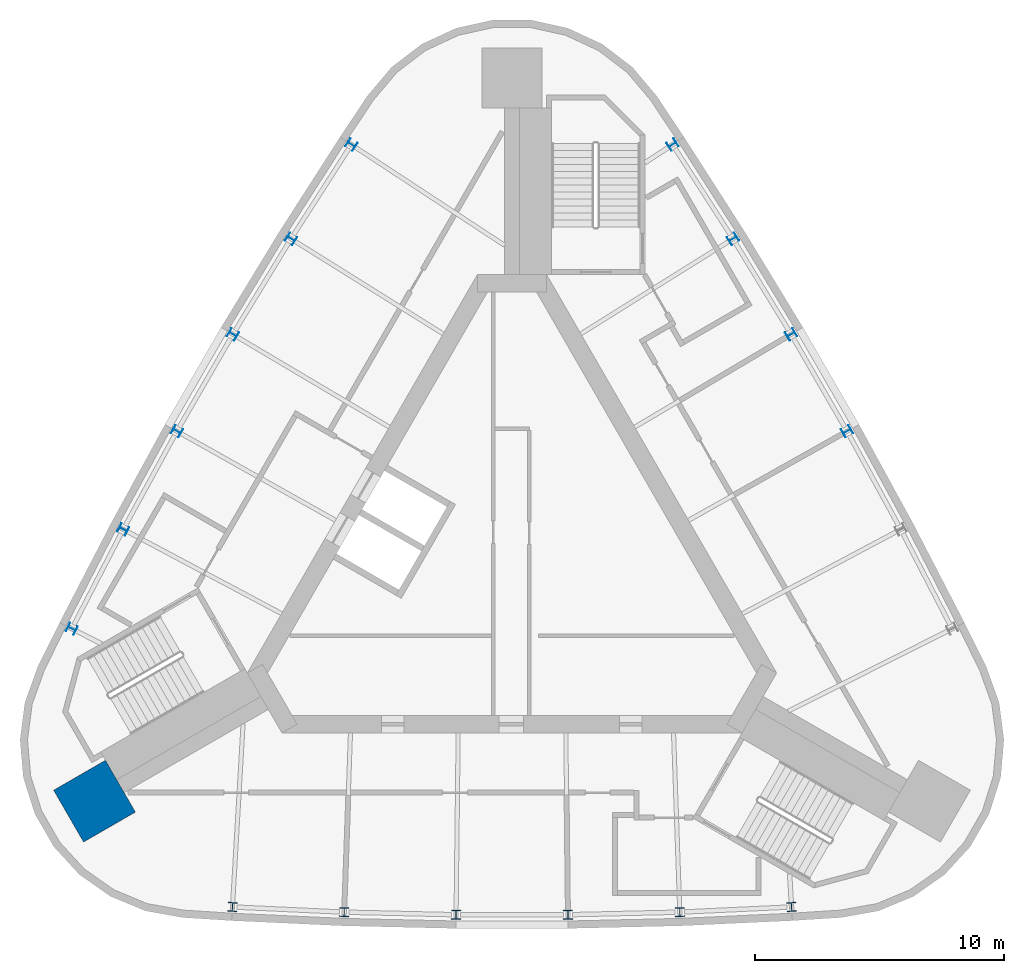
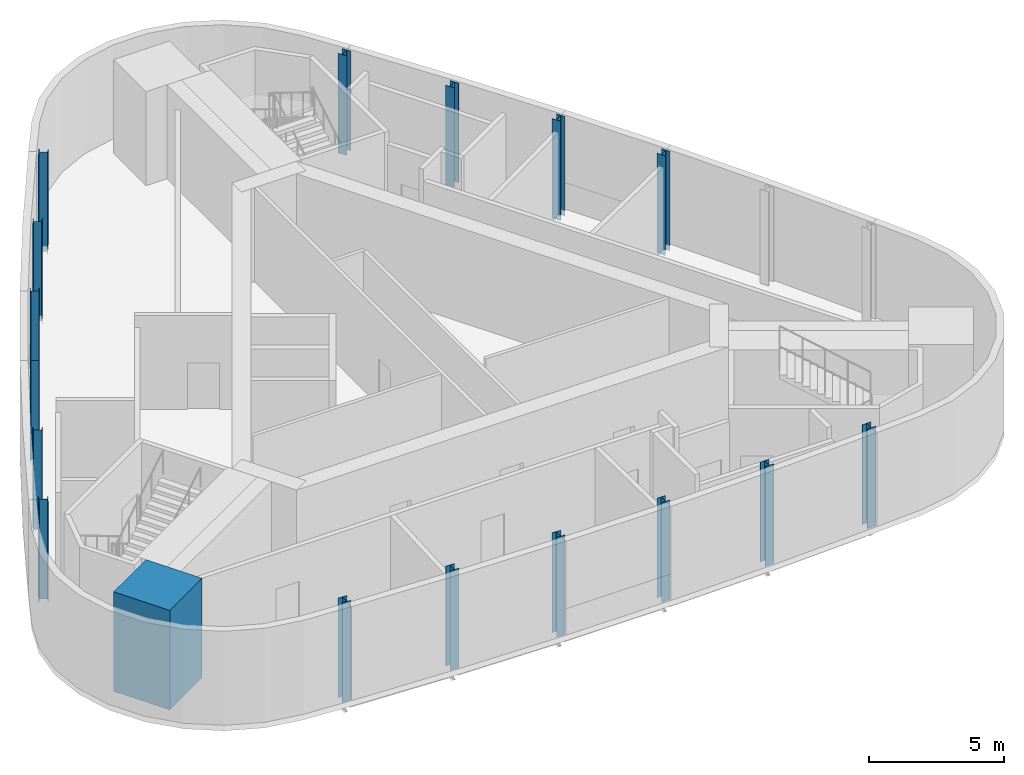
# One storey, part 1 of 7: 17 columns.
"""IFC4 building model written with IfcOpenShell, lengths in metres."""

from ifc_helpers import new_model, si_unit, direction, frame, origin, origin_2d, place, context, subcontext, project, spatial, rectangle, i_section, extrude, material, material_profile, profile_set, type_object, element, save


model = new_model("IFC4")

# Units and contexts
model_context = context("Model", 3, precision=1e-05, world=origin(), true_north=direction((0.0, 1.0)))
body_context = subcontext(model_context, "Body", "Model", "MODEL_VIEW")
ifc_project = project(units=[si_unit("LENGTHUNIT", "METRE"), si_unit("AREAUNIT", "SQUARE_METRE"), si_unit("VOLUMEUNIT", "CUBIC_METRE"), si_unit("PLANEANGLEUNIT", "RADIAN"), si_unit("MASSUNIT", "GRAM", prefix="KILO")], contexts=[model_context])

# Site, building, storey
site_placement = place(None, origin())
site = spatial("IfcSite", under=ifc_project, at=site_placement, CompositionType="ELEMENT")
building_placement = place(site_placement, origin())
building = spatial("IfcBuilding", under=site, at=building_placement, Name="Noor Cloister Tower", CompositionType="ELEMENT")
storey_placement = place(building_placement, frame((0.0, 0.0, 288.60009765625)))
storey = spatial("IfcBuildingStorey", under=building, at=storey_placement, Name="L73", CompositionType="ELEMENT", Elevation=288.60009765625)

# Columns
ifc_material_1 = material(Name="Steel ASTM A992 Gr 50", Category="steel")
ifc_material_profile_1 = material_profile(ifc_material_1, i_section(OverallWidth=0.367919921875, OverallDepth=0.35595703125, WebThickness=0.01123046875, FlangeThickness=0.01806640625, FilletRadius=0.015380859375, at=origin_2d()), Name="W360x134")
ifc_profile_set_1 = profile_set([ifc_material_profile_1], Name="Steel ASTM A992 Gr 50")
column_type_1 = type_object("IfcColumnType", Name="Column W360x134", PredefinedType="COLUMN", material=ifc_profile_set_1)
for number, where, z_axis, x_axis, name in (
    (1, (-6.441650390625, 16.66552734375, -0.25), (0.0, 0.0, 1.0), (-0.549344612048, -0.835595893488, 0.0), "Column NW 01 L73"),
    (2, (-8.863037109375, 12.8876953125, -0.25), (0.0, 0.0, 1.0), (-0.529819164802, -0.84811063701, 0.0), "Column NW 02 L73"),
    (3, (-11.196044921875, 9.0546875, -0.25), (0.0, 0.0, 1.0), (-0.51000874803, -0.860169214127, 0.0), "Column NW 03 L73"),
    (4, (-13.439697265625, 5.168701171875, -0.25), (0.0, 0.0, 1.0), (-0.489924016972, -0.87176513901, 0.0), "Column NW 04 L73"),
    (5, (-15.592529296875, 1.231689453125, -0.25), (0.0, 0.0, 1.0), (-0.469575774469, -0.882892174635, 0.0), "Column NW 05 L73"),
    (6, (-17.653564453125, -2.75390625, -0.25), (0.0, 0.0, 1.0), (-0.448974965035, -0.893544336209, 0.0), "Column NW 06 L73"),
    (7, (-11.2119140625, -13.911376953125, -0.25), (0.0, 0.0, 1.0), (0.998319577082, -0.057948442721, 0.0), "Column S 01 L73"),
    (8, (-6.7294921875, -14.119384765625, -0.25), (0.0, 0.0, 1.0), (0.999394939271, -0.034781537625, 0.0), "Column S 02 L73"),
    (9, (-2.24365234375, -14.2236328125, -0.25), (0.0, 0.0, 1.0), (0.999932765003, -0.011595924883, 0.0), "Column S 03 L73"),
    (10, (2.24365234375, -14.2236328125, -0.25), (0.0, 0.0, 1.0), (0.999932765003, 0.011595924883, 0.0), "Column S 04 L73"),
    (11, (6.7294921875, -14.119384765625, -0.25), (0.0, 0.0, 1.0), (0.999394939271, 0.034781537625, 0.0), "Column S 05 L73"),
    (12, (11.2119140625, -13.911376953125, -0.25), (0.0, 0.0, 1.0), (0.998319577082, 0.057948442721, 0.0), "Column S 06 L73"),
    (13, (13.439697265625, 5.168701171875, -0.25), (0.0, 0.0, 1.0), (-0.489924016972, 0.87176513901, 0.0), "Column NE 03 L73"),
    (14, (11.196044921875, 9.0546875, -0.25), (0.0, 0.0, 1.0), (-0.51000874803, 0.860169214127, 0.0), "Column NE 04 L73"),
    (15, (8.863037109375, 12.8876953125, -0.25), (0.0, 0.0, 1.0), (-0.529819164802, 0.84811063701, 0.0), "Column NE 05 L73"),
    (16, (6.441650390625, 16.66552734375, -0.25), (0.0, 0.0, 1.0), (-0.549344612048, 0.835595893488, 0.0), "Column NE 06 L73"),
):
    element("IfcColumn", number, at=place(storey_placement, frame(where, z_axis=z_axis, x_axis=x_axis)), inside=storey, type_object=column_type_1, Name=name, PredefinedType="COLUMN", context=body_context, shape_type="SweptSolid", body=[
        extrude(i_section(OverallWidth=0.367919921875, OverallDepth=0.35595703125, WebThickness=0.01123046875, FlangeThickness=0.01806640625, FilletRadius=0.015380859375, at=origin_2d()), origin(), (0.0, 0.0, 1.0), 4.5),
    ])
ifc_material_2 = material(Name="Concrete C50/60", Category="concrete")
ifc_material_profile_2 = material_profile(ifc_material_2, rectangle(XDim=2.39990234375, YDim=2.39990234375, at=origin_2d()), Name="RC 2400x2400")
ifc_profile_set_2 = profile_set([ifc_material_profile_2], Name="Concrete C50/60")
column_type_2 = type_object("IfcColumnType", Name="Corner pier 2400 x 2400 C50/60", PredefinedType="COLUMN", material=ifc_profile_set_2)
column_placement = place(storey_placement, frame((-16.74462890625, -9.66748046875, -0.25), z_axis=(0.0, 0.0, 1.0), x_axis=(-0.866025403784, -0.5, 0.0)))
element("IfcColumn", 17, at=column_placement, inside=storey, type_object=column_type_2, Name="Corner pier SW L73", PredefinedType="COLUMN", context=body_context, shape_type="SweptSolid", body=[
    extrude(rectangle(XDim=2.39990234375, YDim=2.39990234375, at=origin_2d()), origin(), (0.0, 0.0, 1.0), 4.5),
])

save(model, "model.ifc")
